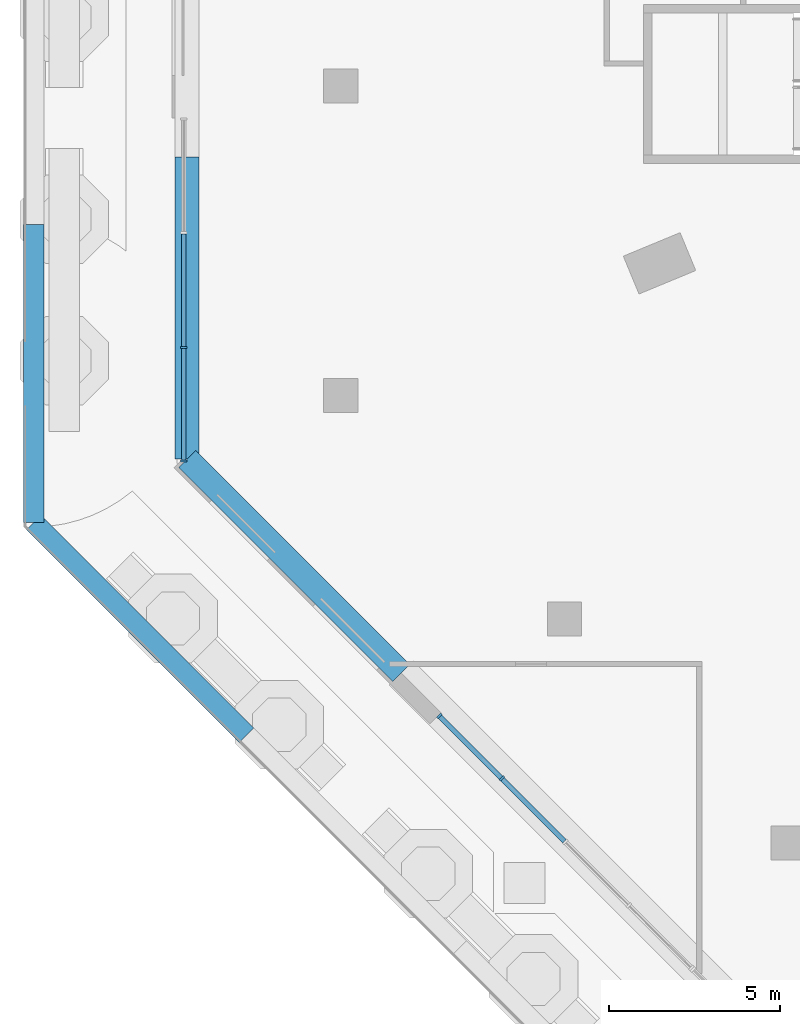
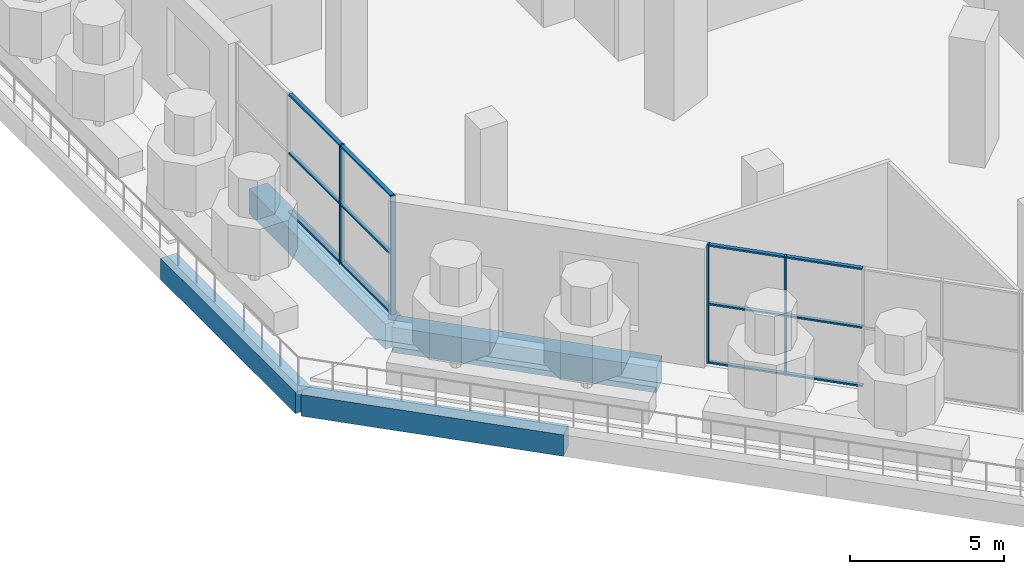
# One storey, part 3 of 32: 16 members, 4 beams, 2 elements without a shape of their own.
"""IFC4 building model written with IfcOpenShell, lengths in metres."""

from ifc_helpers import new_model, si_unit, direction, frame, origin, origin_2d, place, context, subcontext, project, spatial, rectangle, extrude, material, material_profile, profile_set, type_object, element, aggregate, save


model = new_model("IFC4")

# Units and contexts
model_context = context("Model", 3, precision=1e-05, world=origin(), true_north=direction((0.0, 1.0)))
body_context = subcontext(model_context, "Body", "Model", "MODEL_VIEW")
ifc_project = project(units=[si_unit("LENGTHUNIT", "METRE"), si_unit("AREAUNIT", "SQUARE_METRE"), si_unit("VOLUMEUNIT", "CUBIC_METRE"), si_unit("PLANEANGLEUNIT", "RADIAN"), si_unit("MASSUNIT", "GRAM", prefix="KILO")], contexts=[model_context])

# Site, building, storey
site_placement = place(None, origin())
site = spatial("IfcSite", under=ifc_project, at=site_placement, CompositionType="ELEMENT")
building_placement = place(site_placement, origin())
building = spatial("IfcBuilding", under=site, at=building_placement, Name="Msitu Wima Residences", CompositionType="ELEMENT")
storey_placement = place(building_placement, frame((0.0, 0.0, 6.0)))
storey = spatial("IfcBuildingStorey", under=building, at=storey_placement, Name="L01", CompositionType="ELEMENT", Elevation=6.0)

# Curtain wall, members
ifc_material_1 = material(Name="Anodised aluminium, bronze finish, clear low-emissivity double glazing", Category="aluminium")
curtain_wall_type = type_object("IfcCurtainWallType", Name="Curtain wall CW5 retail shopfront", PredefinedType="NOTDEFINED", material=ifc_material_1)
curtain_wall_1_placement = place(storey_placement, origin())
curtain_wall_1 = element("IfcCurtainWall", 1, at=curtain_wall_1_placement, inside=storey, type_object=curtain_wall_type, Name="Curtain wall CW5 L01 W3", PredefinedType="NOTDEFINED")
ifc_material_2 = material(Name="Anodised aluminium, bronze finish", Category="aluminium")
ifc_material_profile_1 = material_profile(ifc_material_2, rectangle(XDim=0.179931640625, YDim=0.06494140625, at=origin_2d()), Name="Mullion 65x180")
ifc_profile_set_1 = profile_set([ifc_material_profile_1], Name="Anodised aluminium, bronze finish")
member_type_1 = type_object("IfcMemberType", Name="Mullion CW5 65x180", PredefinedType="MULLION", material=ifc_profile_set_1)
member_1_placement = place(storey_placement, frame((-42.39990234375, -16.721923828125, 0.0), z_axis=(0.0, 0.0, 1.0), x_axis=(1.0, 0.0, 0.0)))
member_1 = element("IfcMember", 2, at=member_1_placement, type_object=member_type_1, Name="CW5 mullion 3", PredefinedType="MULLION", context=body_context, shape_type="SweptSolid", body=[
    extrude(rectangle(XDim=0.179931640625, YDim=0.06494140625, at=origin_2d()), origin(), (0.0, 0.0, 1.0), 4.699951171875),
])
member_2_placement = place(storey_placement, frame((-42.39990234375, -20.052490234375, 0.0), z_axis=(0.0, 0.0, 1.0), x_axis=(1.0, 0.0, 0.0)))
member_2 = element("IfcMember", 3, at=member_2_placement, type_object=member_type_1, Name="CW5 mullion 4", PredefinedType="MULLION", context=body_context, shape_type="SweptSolid", body=[
    extrude(rectangle(XDim=0.179931640625, YDim=0.06494140625, at=origin_2d()), origin(), (0.0, 0.0, 1.0), 4.699951171875),
])

curtain_wall_2_placement = place(storey_placement, origin())
curtain_wall_2 = element("IfcCurtainWall", 4, at=curtain_wall_2_placement, inside=storey, type_object=curtain_wall_type, Name="Curtain wall CW5 L01 SW1", PredefinedType="NOTDEFINED")
member_3_placement = place(storey_placement, frame((-34.91162109375, -27.521728515625, 0.0), z_axis=(0.0, 0.0, 1.0), x_axis=(0.707106781187, 0.707106781187, 0.0)))
member_3 = element("IfcMember", 5, at=member_3_placement, type_object=member_type_1, Name="CW5 mullion 1", PredefinedType="MULLION", context=body_context, shape_type="SweptSolid", body=[
    extrude(rectangle(XDim=0.179931640625, YDim=0.06494140625, at=origin_2d()), origin(), (0.0, 0.0, 1.0), 4.699951171875),
])
member_4_placement = place(storey_placement, frame((-33.07568359375, -29.357666015625, 0.0), z_axis=(0.0, 0.0, 1.0), x_axis=(0.707106781187, 0.707106781187, 0.0)))
member_4 = element("IfcMember", 6, at=member_4_placement, type_object=member_type_1, Name="CW5 mullion 2", PredefinedType="MULLION", context=body_context, shape_type="SweptSolid", body=[
    extrude(rectangle(XDim=0.179931640625, YDim=0.06494140625, at=origin_2d()), origin(), (0.0, 0.0, 1.0), 4.699951171875),
])

# Beams
ifc_material_3 = material(Name="Concrete C60/75", Category="concrete")
ifc_material_profile_2 = material_profile(ifc_material_3, rectangle(XDim=0.60009765625, YDim=0.85009765625, at=origin_2d()), Name="RC 600x850")
ifc_profile_set_2 = profile_set([ifc_material_profile_2], Name="Concrete C60/75")
beam_type_1 = type_object("IfcBeamType", Name="Terrace beam RC 600x850 Concrete C60/75", PredefinedType="BEAM", material=ifc_profile_set_2)
beam_1_placement = place(storey_placement, frame((-46.800048828125, -13.113525390625, -0.77490234375), z_axis=(0.0, -1.0, 0.0), x_axis=(1.0, 0.0, 0.0)))
element("IfcBeam", 7, at=beam_1_placement, inside=storey, type_object=beam_type_1, Name="Terrace edge beam L00 C-W4", PredefinedType="BEAM", context=body_context, shape_type="SweptSolid", body=[
    extrude(rectangle(XDim=0.60009765625, YDim=0.85009765625, at=origin_2d()), origin(), (0.0, 0.0, 1.0), 8.742431640625),
])
beam_2_placement = place(storey_placement, frame((-46.800048828125, -21.85595703125, -0.77490234375), z_axis=(0.70712062282, -0.707092939282, 0.0), x_axis=(0.707092939282, 0.70712062282, 0.0)))
element("IfcBeam", 8, at=beam_2_placement, inside=storey, type_object=beam_type_1, Name="Terrace edge beam L00 C-SW0", PredefinedType="BEAM", context=body_context, shape_type="SweptSolid", body=[
    extrude(rectangle(XDim=0.60009765625, YDim=0.85009765625, at=origin_2d()), origin(), (0.0, 0.0, 1.0), 8.819091796875),
])
ifc_material_profile_3 = material_profile(ifc_material_3, rectangle(XDim=0.699951171875, YDim=1.0, at=origin_2d()), Name="RC 700x1000")
ifc_profile_set_3 = profile_set([ifc_material_profile_3], Name="Concrete C60/75")
beam_type_2 = type_object("IfcBeamType", Name="Terrace beam RC 700x1000 Concrete C60/75", PredefinedType="BEAM", material=ifc_profile_set_3)
beam_3_placement = place(storey_placement, frame((-42.300048828125, -11.14404296875, -0.85009765625), z_axis=(0.0, -1.0, 0.0), x_axis=(1.0, 0.0, 0.0)))
element("IfcBeam", 9, at=beam_3_placement, inside=storey, type_object=beam_type_2, Name="Terrace upstand-line beam L01 T1", PredefinedType="BEAM", context=body_context, shape_type="SweptSolid", body=[
    extrude(rectangle(XDim=0.699951171875, YDim=1.0, at=origin_2d()), origin(), (0.0, 0.0, 1.0), 8.847900390625),
])
beam_4_placement = place(storey_placement, frame((-42.300048828125, -19.991943359375, -0.85009765625), z_axis=(0.707120534516, -0.70709302759, 0.0), x_axis=(0.70709302759, 0.707120534516, 0.0)))
element("IfcBeam", 10, at=beam_4_placement, inside=storey, type_object=beam_type_2, Name="Terrace upstand-line beam L01 T2", PredefinedType="BEAM", context=body_context, shape_type="SweptSolid", body=[
    extrude(rectangle(XDim=0.699951171875, YDim=1.0, at=origin_2d()), origin(), (0.0, 0.0, 1.0), 8.87548828125),
])

# Member
ifc_material_profile_4 = material_profile(ifc_material_2, rectangle(XDim=0.139892578125, YDim=0.06494140625, at=origin_2d()), Name="Transom 65x140")
ifc_profile_set_4 = profile_set([ifc_material_profile_4], Name="Anodised aluminium, bronze finish")
member_type_2 = type_object("IfcMemberType", Name="Transom CW5 65x140", PredefinedType="USERDEFINED", material=ifc_profile_set_4)
member_5_placement = place(storey_placement, frame((-42.39990234375, -13.3916015625, 0.032470703125), z_axis=(0.0, -1.0, 0.0), x_axis=(1.0, 0.0, 0.0)))
member_5 = element("IfcMember", 11, at=member_5_placement, type_object=member_type_2, Name="CW5 transom 2.1", ObjectType="TRANSOM", PredefinedType="USERDEFINED", context=body_context, shape_type="SweptSolid", body=[
    extrude(rectangle(XDim=0.139892578125, YDim=0.06494140625, at=origin_2d()), origin(), (0.0, 0.0, 1.0), 3.2978515625),
])

member_6_placement = place(storey_placement, frame((-42.39990234375, -13.3916015625, 2.35009765625), z_axis=(0.0, -1.0, 0.0), x_axis=(1.0, 0.0, 0.0)))
member_6 = element("IfcMember", 12, at=member_6_placement, type_object=member_type_2, Name="CW5 transom 2.2", ObjectType="TRANSOM", PredefinedType="USERDEFINED", context=body_context, shape_type="SweptSolid", body=[
    extrude(rectangle(XDim=0.139892578125, YDim=0.06494140625, at=origin_2d()), origin(), (0.0, 0.0, 1.0), 3.2978515625),
])

member_7_placement = place(storey_placement, frame((-42.39990234375, -13.3916015625, 4.66748046875), z_axis=(0.0, -1.0, 0.0), x_axis=(1.0, 0.0, 0.0)))
member_7 = element("IfcMember", 13, at=member_7_placement, type_object=member_type_2, Name="CW5 transom 2.3", ObjectType="TRANSOM", PredefinedType="USERDEFINED", context=body_context, shape_type="SweptSolid", body=[
    extrude(rectangle(XDim=0.139892578125, YDim=0.06494140625, at=origin_2d()), origin(), (0.0, 0.0, 1.0), 3.2978515625),
])

member_8_placement = place(storey_placement, frame((-42.39990234375, -16.754638671875, 0.032470703125), z_axis=(0.0, -1.0, 0.0), x_axis=(1.0, 0.0, 0.0)))
member_8 = element("IfcMember", 14, at=member_8_placement, type_object=member_type_2, Name="CW5 transom 3.1", ObjectType="TRANSOM", PredefinedType="USERDEFINED", context=body_context, shape_type="SweptSolid", body=[
    extrude(rectangle(XDim=0.139892578125, YDim=0.06494140625, at=origin_2d()), origin(), (0.0, 0.0, 1.0), 3.265380859375),
])

member_9_placement = place(storey_placement, frame((-42.39990234375, -16.754638671875, 2.35009765625), z_axis=(0.0, -1.0, 0.0), x_axis=(1.0, 0.0, 0.0)))
member_9 = element("IfcMember", 15, at=member_9_placement, type_object=member_type_2, Name="CW5 transom 3.2", ObjectType="TRANSOM", PredefinedType="USERDEFINED", context=body_context, shape_type="SweptSolid", body=[
    extrude(rectangle(XDim=0.139892578125, YDim=0.06494140625, at=origin_2d()), origin(), (0.0, 0.0, 1.0), 3.265380859375),
])

member_10_placement = place(storey_placement, frame((-42.39990234375, -16.754638671875, 4.66748046875), z_axis=(0.0, -1.0, 0.0), x_axis=(1.0, 0.0, 0.0)))
member_10 = element("IfcMember", 16, at=member_10_placement, type_object=member_type_2, Name="CW5 transom 3.3", ObjectType="TRANSOM", PredefinedType="USERDEFINED", context=body_context, shape_type="SweptSolid", body=[
    extrude(rectangle(XDim=0.139892578125, YDim=0.06494140625, at=origin_2d()), origin(), (0.0, 0.0, 1.0), 3.265380859375),
])

aggregate(curtain_wall_1, [member_1, member_2, member_5, member_6, member_7, member_8, member_9, member_10])

member_11_placement = place(storey_placement, frame((-34.888671875, -27.544677734375, 0.032470703125), z_axis=(0.707106781187, -0.707106781187, 0.0), x_axis=(0.707106781187, 0.707106781187, 0.0)))
member_11 = element("IfcMember", 17, at=member_11_placement, type_object=member_type_2, Name="CW5 transom 1.1", ObjectType="TRANSOM", PredefinedType="USERDEFINED", context=body_context, shape_type="SweptSolid", body=[
    extrude(rectangle(XDim=0.139892578125, YDim=0.06494140625, at=origin_2d()), origin(), (0.0, 0.0, 1.0), 2.531494140625),
])

member_12_placement = place(storey_placement, frame((-34.888671875, -27.544677734375, 2.35009765625), z_axis=(0.707106781187, -0.707106781187, 0.0), x_axis=(0.707106781187, 0.707106781187, 0.0)))
member_12 = element("IfcMember", 18, at=member_12_placement, type_object=member_type_2, Name="CW5 transom 1.2", ObjectType="TRANSOM", PredefinedType="USERDEFINED", context=body_context, shape_type="SweptSolid", body=[
    extrude(rectangle(XDim=0.139892578125, YDim=0.06494140625, at=origin_2d()), origin(), (0.0, 0.0, 1.0), 2.531494140625),
])

member_13_placement = place(storey_placement, frame((-34.888671875, -27.544677734375, 4.66748046875), z_axis=(0.707106781187, -0.707106781187, 0.0), x_axis=(0.707106781187, 0.707106781187, 0.0)))
member_13 = element("IfcMember", 19, at=member_13_placement, type_object=member_type_2, Name="CW5 transom 1.3", ObjectType="TRANSOM", PredefinedType="USERDEFINED", context=body_context, shape_type="SweptSolid", body=[
    extrude(rectangle(XDim=0.139892578125, YDim=0.06494140625, at=origin_2d()), origin(), (0.0, 0.0, 1.0), 2.531494140625),
])

member_14_placement = place(storey_placement, frame((-33.052734375, -29.380615234375, 0.032470703125), z_axis=(0.707106781187, -0.707106781187, 0.0), x_axis=(0.707106781187, 0.707106781187, 0.0)))
member_14 = element("IfcMember", 20, at=member_14_placement, type_object=member_type_2, Name="CW5 transom 2.1", ObjectType="TRANSOM", PredefinedType="USERDEFINED", context=body_context, shape_type="SweptSolid", body=[
    extrude(rectangle(XDim=0.139892578125, YDim=0.06494140625, at=origin_2d()), origin(), (0.0, 0.0, 1.0), 2.56396484375),
])

member_15_placement = place(storey_placement, frame((-33.052734375, -29.380615234375, 2.35009765625), z_axis=(0.707106781187, -0.707106781187, 0.0), x_axis=(0.707106781187, 0.707106781187, 0.0)))
member_15 = element("IfcMember", 21, at=member_15_placement, type_object=member_type_2, Name="CW5 transom 2.2", ObjectType="TRANSOM", PredefinedType="USERDEFINED", context=body_context, shape_type="SweptSolid", body=[
    extrude(rectangle(XDim=0.139892578125, YDim=0.06494140625, at=origin_2d()), origin(), (0.0, 0.0, 1.0), 2.56396484375),
])

member_16_placement = place(storey_placement, frame((-33.052734375, -29.380615234375, 4.66748046875), z_axis=(0.707106781187, -0.707106781187, 0.0), x_axis=(0.707106781187, 0.707106781187, 0.0)))
member_16 = element("IfcMember", 22, at=member_16_placement, type_object=member_type_2, Name="CW5 transom 2.3", ObjectType="TRANSOM", PredefinedType="USERDEFINED", context=body_context, shape_type="SweptSolid", body=[
    extrude(rectangle(XDim=0.139892578125, YDim=0.06494140625, at=origin_2d()), origin(), (0.0, 0.0, 1.0), 2.56396484375),
])

aggregate(curtain_wall_2, [member_3, member_4, member_11, member_12, member_13, member_14, member_15, member_16])

save(model, "model.ifc")
